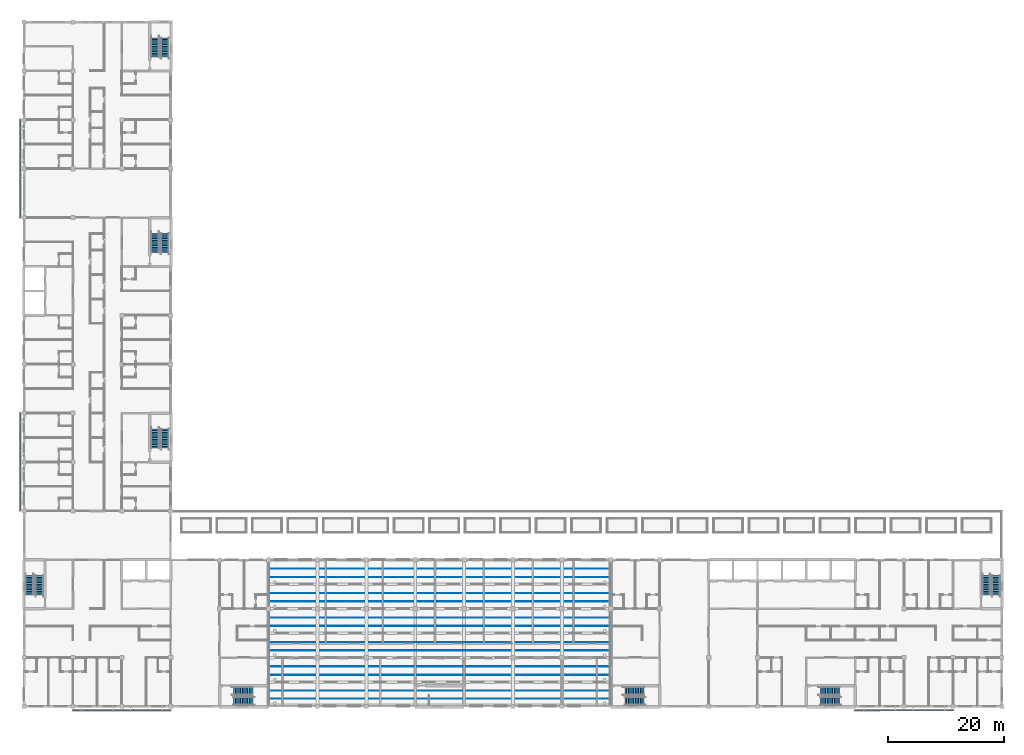
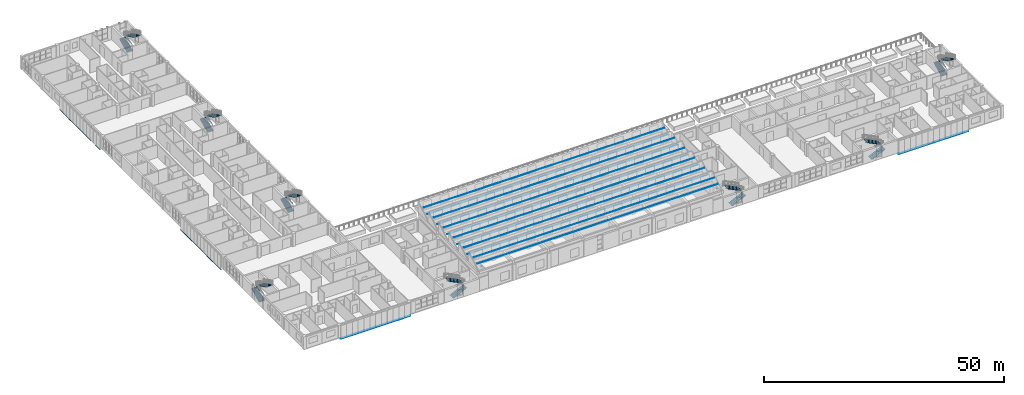
# One storey, part 48 of 61: 20 discrete accessories, 16 stair flights, 8 elements without a shape of their own.
"""IFC4 building model written with IfcOpenShell, lengths in metres."""

from ifc_helpers import new_model, si_unit, direction, frame, origin, origin_2d, place, context, subcontext, project, spatial, polyline, hollow_rectangle, outline, extrude, material, material_profile, profile_set, type_object, element, aggregate, save


model = new_model("IFC4")

# Units and contexts
model_context = context("Model", 3, precision=1e-05, world=origin(), true_north=direction((0.0, 1.0)))
body_context = subcontext(model_context, "Body", "Model", "MODEL_VIEW")
ifc_project = project(units=[si_unit("LENGTHUNIT", "METRE"), si_unit("AREAUNIT", "SQUARE_METRE"), si_unit("VOLUMEUNIT", "CUBIC_METRE"), si_unit("PLANEANGLEUNIT", "RADIAN"), si_unit("MASSUNIT", "GRAM", prefix="KILO")], contexts=[model_context])

# Site, building, storey
site_placement = place(None, origin())
site = spatial("IfcSite", under=ifc_project, at=site_placement, CompositionType="ELEMENT")
building_placement = place(site_placement, origin())
building = spatial("IfcBuilding", under=site, at=building_placement, Name="Yavir Park General Hospital", CompositionType="ELEMENT")
storey_placement = place(building_placement, frame((0.0, 0.0, 15.300048828125)))
storey = spatial("IfcBuildingStorey", under=building, at=storey_placement, Name="L03", CompositionType="ELEMENT", Elevation=15.300048828125)

# Stair, stair flights
ifc_material_1 = material(Name="Concrete C30/37", Category="concrete")
stair_type = type_object("IfcStairType", Name="Patient escape stair, 24 risers of 150 mm, 1400 mm flights", PredefinedType="HALF_TURN_STAIR", material=ifc_material_1)
stair_1_placement = place(storey_placement, origin())
stair_1 = element("IfcStair", 1, at=stair_1_placement, inside=storey, type_object=stair_type, Name="Stair SU1, L03 to L04", PredefinedType="HALF_TURN_STAIR")
ifc_material_2 = material(Name="Concrete C30/37", Category="concrete")
stair_flight_type = type_object("IfcStairFlightType", Name="Patient escape stair flight, 12 risers, 1400 mm wide", PredefinedType="STRAIGHT", material=ifc_material_2)
stair_flight_1_placement = place(storey_placement, frame((0.949951171875, 19.199951171875, 0.0), z_axis=(0.0, 0.0, 1.0), x_axis=(0.0, 1.0, 0.0)))
stair_flight_1 = element("IfcStairFlight", 2, at=stair_flight_1_placement, type_object=stair_flight_type, Name="SU1 flight 1", NumberOfRisers=12, NumberOfTreads=11, PredefinedType="STRAIGHT", RiserHeight=0.15, TreadLength=0.3, context=body_context, shape_type="SweptSolid", body=[
    extrude(outline(polyline([(0.0, 0.0), (0.0, 0.14990234375), (0.300048828125, 0.14990234375), (0.300048828125, 0.300048828125), (0.60009765625, 0.300048828125), (0.60009765625, 0.449951171875), (0.89990234375, 0.449951171875), (0.89990234375, 0.60009765625), (1.199951171875, 0.60009765625), (1.199951171875, 0.75), (1.5, 0.75), (1.5, 0.89990234375), (1.800048828125, 0.89990234375), (1.800048828125, 1.050048828125), (2.10009765625, 1.050048828125), (2.10009765625, 1.199951171875), (2.39990234375, 1.199951171875), (2.39990234375, 1.35009765625), (2.699951171875, 1.35009765625), (2.699951171875, 1.5), (3.0, 1.5), (3.0, 1.64990234375), (3.300048828125, 1.64990234375), (3.300048828125, 1.800048828125), (3.300048828125, 1.47119140625), (0.357666015625, 0.0), (0.0, 0.0)])), frame((0.0, 0.699951171875, 0.0), z_axis=(0.0, -1.0, 0.0), x_axis=(1.0, 0.0, 0.0)), (0.0, 0.0, 1.0), 1.39990234375),
])
stair_flight_2_placement = place(storey_placement, frame((2.64990234375, 22.5, 1.800048828125), z_axis=(0.0, 0.0, 1.0), x_axis=(0.0, -1.0, 0.0)))
stair_flight_2 = element("IfcStairFlight", 3, at=stair_flight_2_placement, type_object=stair_flight_type, Name="SU1 flight 2", NumberOfRisers=12, NumberOfTreads=11, PredefinedType="STRAIGHT", RiserHeight=0.15, TreadLength=0.3, context=body_context, shape_type="SweptSolid", body=[
    extrude(outline(polyline([(0.0, 0.0), (0.0, 0.14990234375), (0.300048828125, 0.14990234375), (0.300048828125, 0.300048828125), (0.60009765625, 0.300048828125), (0.60009765625, 0.449951171875), (0.89990234375, 0.449951171875), (0.89990234375, 0.60009765625), (1.199951171875, 0.60009765625), (1.199951171875, 0.75), (1.5, 0.75), (1.5, 0.89990234375), (1.800048828125, 0.89990234375), (1.800048828125, 1.050048828125), (2.10009765625, 1.050048828125), (2.10009765625, 1.199951171875), (2.39990234375, 1.199951171875), (2.39990234375, 1.35009765625), (2.699951171875, 1.35009765625), (2.699951171875, 1.5), (3.0, 1.5), (3.0, 1.64990234375), (3.300048828125, 1.64990234375), (3.300048828125, 1.800048828125), (3.300048828125, 1.47119140625), (0.357666015625, 0.0), (0.0, 0.0)])), frame((0.0, 0.699951171875, 0.0), z_axis=(0.0, -1.0, 0.0), x_axis=(1.0, 0.0, 0.0)), (0.0, 0.0, 1.0), 1.39990234375),
])
aggregate(stair_1, [stair_flight_1, stair_flight_2])

stair_2_placement = place(storey_placement, origin())
stair_2 = element("IfcStair", 4, at=stair_2_placement, inside=storey, type_object=stair_type, Name="Stair SU2, L03 to L04", PredefinedType="HALF_TURN_STAIR")
stair_flight_3_placement = place(storey_placement, frame((36.0, 0.949951171875, 0.0), z_axis=(0.0, 0.0, 1.0), x_axis=(1.0, 0.0, 0.0)))
stair_flight_3 = element("IfcStairFlight", 5, at=stair_flight_3_placement, type_object=stair_flight_type, Name="SU2 flight 1", NumberOfRisers=12, NumberOfTreads=11, PredefinedType="STRAIGHT", RiserHeight=0.15, TreadLength=0.3, context=body_context, shape_type="SweptSolid", body=[
    extrude(outline(polyline([(0.0, 0.0), (0.0, 0.14990234375), (0.300048828125, 0.14990234375), (0.300048828125, 0.300048828125), (0.60009765625, 0.300048828125), (0.60009765625, 0.449951171875), (0.89990234375, 0.449951171875), (0.89990234375, 0.60009765625), (1.199951171875, 0.60009765625), (1.199951171875, 0.75), (1.5, 0.75), (1.5, 0.89990234375), (1.800048828125, 0.89990234375), (1.800048828125, 1.050048828125), (2.10009765625, 1.050048828125), (2.10009765625, 1.199951171875), (2.39990234375, 1.199951171875), (2.39990234375, 1.35009765625), (2.699951171875, 1.35009765625), (2.699951171875, 1.5), (3.0, 1.5), (3.0, 1.64990234375), (3.300048828125, 1.64990234375), (3.300048828125, 1.800048828125), (3.300048828125, 1.47119140625), (0.357666015625, 0.0), (0.0, 0.0)])), frame((0.0, 0.699951171875, 0.0), z_axis=(0.0, -1.0, 0.0), x_axis=(1.0, 0.0, 0.0)), (0.0, 0.0, 1.0), 1.39990234375),
])
stair_flight_4_placement = place(storey_placement, frame((39.300048828125, 2.64990234375, 1.800048828125), z_axis=(0.0, 0.0, 1.0), x_axis=(-1.0, 0.0, 0.0)))
stair_flight_4 = element("IfcStairFlight", 6, at=stair_flight_4_placement, type_object=stair_flight_type, Name="SU2 flight 2", NumberOfRisers=12, NumberOfTreads=11, PredefinedType="STRAIGHT", RiserHeight=0.15, TreadLength=0.3, context=body_context, shape_type="SweptSolid", body=[
    extrude(outline(polyline([(0.0, 0.0), (0.0, 0.14990234375), (0.300048828125, 0.14990234375), (0.300048828125, 0.300048828125), (0.60009765625, 0.300048828125), (0.60009765625, 0.449951171875), (0.89990234375, 0.449951171875), (0.89990234375, 0.60009765625), (1.199951171875, 0.60009765625), (1.199951171875, 0.75), (1.5, 0.75), (1.5, 0.89990234375), (1.800048828125, 0.89990234375), (1.800048828125, 1.050048828125), (2.10009765625, 1.050048828125), (2.10009765625, 1.199951171875), (2.39990234375, 1.199951171875), (2.39990234375, 1.35009765625), (2.699951171875, 1.35009765625), (2.699951171875, 1.5), (3.0, 1.5), (3.0, 1.64990234375), (3.300048828125, 1.64990234375), (3.300048828125, 1.800048828125), (3.300048828125, 1.47119140625), (0.357666015625, 0.0), (0.0, 0.0)])), frame((0.0, 0.699951171875, 0.0), z_axis=(0.0, -1.0, 0.0), x_axis=(1.0, 0.0, 0.0)), (0.0, 0.0, 1.0), 1.39990234375),
])
aggregate(stair_2, [stair_flight_3, stair_flight_4])

stair_3_placement = place(storey_placement, origin())
stair_3 = element("IfcStair", 7, at=stair_3_placement, inside=storey, type_object=stair_type, Name="Stair SU4, L03 to L04", PredefinedType="HALF_TURN_STAIR")
stair_flight_5_placement = place(storey_placement, frame((103.199951171875, 0.949951171875, 0.0), z_axis=(0.0, 0.0, 1.0), x_axis=(1.0, 0.0, 0.0)))
stair_flight_5 = element("IfcStairFlight", 8, at=stair_flight_5_placement, type_object=stair_flight_type, Name="SU4 flight 1", NumberOfRisers=12, NumberOfTreads=11, PredefinedType="STRAIGHT", RiserHeight=0.15, TreadLength=0.3, context=body_context, shape_type="SweptSolid", body=[
    extrude(outline(polyline([(0.0, 0.0), (0.0, 0.14990234375), (0.300048828125, 0.14990234375), (0.300048828125, 0.300048828125), (0.60009765625, 0.300048828125), (0.60009765625, 0.449951171875), (0.89990234375, 0.449951171875), (0.89990234375, 0.60009765625), (1.199951171875, 0.60009765625), (1.199951171875, 0.75), (1.5, 0.75), (1.5, 0.89990234375), (1.800048828125, 0.89990234375), (1.800048828125, 1.050048828125), (2.10009765625, 1.050048828125), (2.10009765625, 1.199951171875), (2.39990234375, 1.199951171875), (2.39990234375, 1.35009765625), (2.699951171875, 1.35009765625), (2.699951171875, 1.5), (3.0, 1.5), (3.0, 1.64990234375), (3.300048828125, 1.64990234375), (3.300048828125, 1.800048828125), (3.300048828125, 1.47119140625), (0.357666015625, 0.0), (0.0, 0.0)])), frame((0.0, 0.699951171875, 0.0), z_axis=(0.0, -1.0, 0.0), x_axis=(1.0, 0.0, 0.0)), (0.0, 0.0, 1.0), 1.39990234375),
])
stair_flight_6_placement = place(storey_placement, frame((106.5, 2.64990234375, 1.800048828125), z_axis=(0.0, 0.0, 1.0), x_axis=(-1.0, 0.0, 0.0)))
stair_flight_6 = element("IfcStairFlight", 9, at=stair_flight_6_placement, type_object=stair_flight_type, Name="SU4 flight 2", NumberOfRisers=12, NumberOfTreads=11, PredefinedType="STRAIGHT", RiserHeight=0.15, TreadLength=0.3, context=body_context, shape_type="SweptSolid", body=[
    extrude(outline(polyline([(0.0, 0.0), (0.0, 0.14990234375), (0.300048828125, 0.14990234375), (0.300048828125, 0.300048828125), (0.60009765625, 0.300048828125), (0.60009765625, 0.449951171875), (0.89990234375, 0.449951171875), (0.89990234375, 0.60009765625), (1.199951171875, 0.60009765625), (1.199951171875, 0.75), (1.5, 0.75), (1.5, 0.89990234375), (1.800048828125, 0.89990234375), (1.800048828125, 1.050048828125), (2.10009765625, 1.050048828125), (2.10009765625, 1.199951171875), (2.39990234375, 1.199951171875), (2.39990234375, 1.35009765625), (2.699951171875, 1.35009765625), (2.699951171875, 1.5), (3.0, 1.5), (3.0, 1.64990234375), (3.300048828125, 1.64990234375), (3.300048828125, 1.800048828125), (3.300048828125, 1.47119140625), (0.357666015625, 0.0), (0.0, 0.0)])), frame((0.0, 0.699951171875, 0.0), z_axis=(0.0, -1.0, 0.0), x_axis=(1.0, 0.0, 0.0)), (0.0, 0.0, 1.0), 1.39990234375),
])
aggregate(stair_3, [stair_flight_5, stair_flight_6])

stair_4_placement = place(storey_placement, origin())
stair_4 = element("IfcStair", 10, at=stair_4_placement, inside=storey, type_object=stair_type, Name="Stair SU5, L03 to L04", PredefinedType="HALF_TURN_STAIR")
stair_flight_7_placement = place(storey_placement, frame((136.800048828125, 0.949951171875, 0.0), z_axis=(0.0, 0.0, 1.0), x_axis=(1.0, 0.0, 0.0)))
stair_flight_7 = element("IfcStairFlight", 11, at=stair_flight_7_placement, type_object=stair_flight_type, Name="SU5 flight 1", NumberOfRisers=12, NumberOfTreads=11, PredefinedType="STRAIGHT", RiserHeight=0.15, TreadLength=0.3, context=body_context, shape_type="SweptSolid", body=[
    extrude(outline(polyline([(0.0, 0.0), (0.0, 0.14990234375), (0.300048828125, 0.14990234375), (0.300048828125, 0.300048828125), (0.60009765625, 0.300048828125), (0.60009765625, 0.449951171875), (0.89990234375, 0.449951171875), (0.89990234375, 0.60009765625), (1.199951171875, 0.60009765625), (1.199951171875, 0.75), (1.5, 0.75), (1.5, 0.89990234375), (1.800048828125, 0.89990234375), (1.800048828125, 1.050048828125), (2.10009765625, 1.050048828125), (2.10009765625, 1.199951171875), (2.39990234375, 1.199951171875), (2.39990234375, 1.35009765625), (2.699951171875, 1.35009765625), (2.699951171875, 1.5), (3.0, 1.5), (3.0, 1.64990234375), (3.300048828125, 1.64990234375), (3.300048828125, 1.800048828125), (3.300048828125, 1.47119140625), (0.357666015625, 0.0), (0.0, 0.0)])), frame((0.0, 0.699951171875, 0.0), z_axis=(0.0, -1.0, 0.0), x_axis=(1.0, 0.0, 0.0)), (0.0, 0.0, 1.0), 1.39990234375),
])
stair_flight_8_placement = place(storey_placement, frame((140.10009765625, 2.64990234375, 1.800048828125), z_axis=(0.0, 0.0, 1.0), x_axis=(-1.0, 0.0, 0.0)))
stair_flight_8 = element("IfcStairFlight", 12, at=stair_flight_8_placement, type_object=stair_flight_type, Name="SU5 flight 2", NumberOfRisers=12, NumberOfTreads=11, PredefinedType="STRAIGHT", RiserHeight=0.15, TreadLength=0.3, context=body_context, shape_type="SweptSolid", body=[
    extrude(outline(polyline([(0.0, 0.0), (0.0, 0.14990234375), (0.300048828125, 0.14990234375), (0.300048828125, 0.300048828125), (0.60009765625, 0.300048828125), (0.60009765625, 0.449951171875), (0.89990234375, 0.449951171875), (0.89990234375, 0.60009765625), (1.199951171875, 0.60009765625), (1.199951171875, 0.75), (1.5, 0.75), (1.5, 0.89990234375), (1.800048828125, 0.89990234375), (1.800048828125, 1.050048828125), (2.10009765625, 1.050048828125), (2.10009765625, 1.199951171875), (2.39990234375, 1.199951171875), (2.39990234375, 1.35009765625), (2.699951171875, 1.35009765625), (2.699951171875, 1.5), (3.0, 1.5), (3.0, 1.64990234375), (3.300048828125, 1.64990234375), (3.300048828125, 1.800048828125), (3.300048828125, 1.47119140625), (0.357666015625, 0.0), (0.0, 0.0)])), frame((0.0, 0.699951171875, 0.0), z_axis=(0.0, -1.0, 0.0), x_axis=(1.0, 0.0, 0.0)), (0.0, 0.0, 1.0), 1.39990234375),
])
aggregate(stair_4, [stair_flight_7, stair_flight_8])

stair_5_placement = place(storey_placement, origin())
stair_5 = element("IfcStair", 13, at=stair_5_placement, inside=storey, type_object=stair_type, Name="Stair SU6, L03 to L04", PredefinedType="HALF_TURN_STAIR")
stair_flight_9_placement = place(storey_placement, frame((165.300048828125, 19.199951171875, 0.0), z_axis=(0.0, 0.0, 1.0), x_axis=(0.0, 1.0, 0.0)))
stair_flight_9 = element("IfcStairFlight", 14, at=stair_flight_9_placement, type_object=stair_flight_type, Name="SU6 flight 1", NumberOfRisers=12, NumberOfTreads=11, PredefinedType="STRAIGHT", RiserHeight=0.15, TreadLength=0.3, context=body_context, shape_type="SweptSolid", body=[
    extrude(outline(polyline([(0.0, 0.0), (0.0, 0.14990234375), (0.300048828125, 0.14990234375), (0.300048828125, 0.300048828125), (0.60009765625, 0.300048828125), (0.60009765625, 0.449951171875), (0.89990234375, 0.449951171875), (0.89990234375, 0.60009765625), (1.199951171875, 0.60009765625), (1.199951171875, 0.75), (1.5, 0.75), (1.5, 0.89990234375), (1.800048828125, 0.89990234375), (1.800048828125, 1.050048828125), (2.10009765625, 1.050048828125), (2.10009765625, 1.199951171875), (2.39990234375, 1.199951171875), (2.39990234375, 1.35009765625), (2.699951171875, 1.35009765625), (2.699951171875, 1.5), (3.0, 1.5), (3.0, 1.64990234375), (3.300048828125, 1.64990234375), (3.300048828125, 1.800048828125), (3.300048828125, 1.47119140625), (0.357666015625, 0.0), (0.0, 0.0)])), frame((0.0, 0.699951171875, 0.0), z_axis=(0.0, -1.0, 0.0), x_axis=(1.0, 0.0, 0.0)), (0.0, 0.0, 1.0), 1.39990234375),
])
stair_flight_10_placement = place(storey_placement, frame((167.0, 22.5, 1.800048828125), z_axis=(0.0, 0.0, 1.0), x_axis=(0.0, -1.0, 0.0)))
stair_flight_10 = element("IfcStairFlight", 15, at=stair_flight_10_placement, type_object=stair_flight_type, Name="SU6 flight 2", NumberOfRisers=12, NumberOfTreads=11, PredefinedType="STRAIGHT", RiserHeight=0.15, TreadLength=0.3, context=body_context, shape_type="SweptSolid", body=[
    extrude(outline(polyline([(0.0, 0.0), (0.0, 0.14990234375), (0.300048828125, 0.14990234375), (0.300048828125, 0.300048828125), (0.60009765625, 0.300048828125), (0.60009765625, 0.449951171875), (0.89990234375, 0.449951171875), (0.89990234375, 0.60009765625), (1.199951171875, 0.60009765625), (1.199951171875, 0.75), (1.5, 0.75), (1.5, 0.89990234375), (1.800048828125, 0.89990234375), (1.800048828125, 1.050048828125), (2.10009765625, 1.050048828125), (2.10009765625, 1.199951171875), (2.39990234375, 1.199951171875), (2.39990234375, 1.35009765625), (2.699951171875, 1.35009765625), (2.699951171875, 1.5), (3.0, 1.5), (3.0, 1.64990234375), (3.300048828125, 1.64990234375), (3.300048828125, 1.800048828125), (3.300048828125, 1.47119140625), (0.357666015625, 0.0), (0.0, 0.0)])), frame((0.0, 0.699951171875, 0.0), z_axis=(0.0, -1.0, 0.0), x_axis=(1.0, 0.0, 0.0)), (0.0, 0.0, 1.0), 1.39990234375),
])
aggregate(stair_5, [stair_flight_9, stair_flight_10])

stair_6_placement = place(storey_placement, origin())
stair_6 = element("IfcStair", 16, at=stair_6_placement, inside=storey, type_object=stair_type, Name="Stair SW1, L03 to L04", PredefinedType="HALF_TURN_STAIR")
stair_flight_11_placement = place(storey_placement, frame((22.5, 44.39990234375, 0.0), z_axis=(0.0, 0.0, 1.0), x_axis=(0.0, 1.0, 0.0)))
stair_flight_11 = element("IfcStairFlight", 17, at=stair_flight_11_placement, type_object=stair_flight_type, Name="SW1 flight 1", NumberOfRisers=12, NumberOfTreads=11, PredefinedType="STRAIGHT", RiserHeight=0.15, TreadLength=0.3, context=body_context, shape_type="SweptSolid", body=[
    extrude(outline(polyline([(0.0, 0.0), (0.0, 0.14990234375), (0.300048828125, 0.14990234375), (0.300048828125, 0.300048828125), (0.60009765625, 0.300048828125), (0.60009765625, 0.449951171875), (0.89990234375, 0.449951171875), (0.89990234375, 0.60009765625), (1.199951171875, 0.60009765625), (1.199951171875, 0.75), (1.5, 0.75), (1.5, 0.89990234375), (1.800048828125, 0.89990234375), (1.800048828125, 1.050048828125), (2.10009765625, 1.050048828125), (2.10009765625, 1.199951171875), (2.39990234375, 1.199951171875), (2.39990234375, 1.35009765625), (2.699951171875, 1.35009765625), (2.699951171875, 1.5), (3.0, 1.5), (3.0, 1.64990234375), (3.300048828125, 1.64990234375), (3.300048828125, 1.800048828125), (3.300048828125, 1.47119140625), (0.357666015625, 0.0), (0.0, 0.0)])), frame((0.0, 0.699951171875, 0.0), z_axis=(0.0, -1.0, 0.0), x_axis=(1.0, 0.0, 0.0)), (0.0, 0.0, 1.0), 1.39990234375),
])
stair_flight_12_placement = place(storey_placement, frame((24.199951171875, 47.699951171875, 1.800048828125), z_axis=(0.0, 0.0, 1.0), x_axis=(0.0, -1.0, 0.0)))
stair_flight_12 = element("IfcStairFlight", 18, at=stair_flight_12_placement, type_object=stair_flight_type, Name="SW1 flight 2", NumberOfRisers=12, NumberOfTreads=11, PredefinedType="STRAIGHT", RiserHeight=0.15, TreadLength=0.3, context=body_context, shape_type="SweptSolid", body=[
    extrude(outline(polyline([(0.0, 0.0), (0.0, 0.14990234375), (0.300048828125, 0.14990234375), (0.300048828125, 0.300048828125), (0.60009765625, 0.300048828125), (0.60009765625, 0.449951171875), (0.89990234375, 0.449951171875), (0.89990234375, 0.60009765625), (1.199951171875, 0.60009765625), (1.199951171875, 0.75), (1.5, 0.75), (1.5, 0.89990234375), (1.800048828125, 0.89990234375), (1.800048828125, 1.050048828125), (2.10009765625, 1.050048828125), (2.10009765625, 1.199951171875), (2.39990234375, 1.199951171875), (2.39990234375, 1.35009765625), (2.699951171875, 1.35009765625), (2.699951171875, 1.5), (3.0, 1.5), (3.0, 1.64990234375), (3.300048828125, 1.64990234375), (3.300048828125, 1.800048828125), (3.300048828125, 1.47119140625), (0.357666015625, 0.0), (0.0, 0.0)])), frame((0.0, 0.699951171875, 0.0), z_axis=(0.0, -1.0, 0.0), x_axis=(1.0, 0.0, 0.0)), (0.0, 0.0, 1.0), 1.39990234375),
])
aggregate(stair_6, [stair_flight_11, stair_flight_12])

stair_7_placement = place(storey_placement, origin())
stair_7 = element("IfcStair", 19, at=stair_7_placement, inside=storey, type_object=stair_type, Name="Stair SW2, L03 to L04", PredefinedType="HALF_TURN_STAIR")
stair_flight_13_placement = place(storey_placement, frame((22.5, 78.0, 0.0), z_axis=(0.0, 0.0, 1.0), x_axis=(0.0, 1.0, 0.0)))
stair_flight_13 = element("IfcStairFlight", 20, at=stair_flight_13_placement, type_object=stair_flight_type, Name="SW2 flight 1", NumberOfRisers=12, NumberOfTreads=11, PredefinedType="STRAIGHT", RiserHeight=0.15, TreadLength=0.3, context=body_context, shape_type="SweptSolid", body=[
    extrude(outline(polyline([(0.0, 0.0), (0.0, 0.14990234375), (0.300048828125, 0.14990234375), (0.300048828125, 0.300048828125), (0.60009765625, 0.300048828125), (0.60009765625, 0.449951171875), (0.89990234375, 0.449951171875), (0.89990234375, 0.60009765625), (1.199951171875, 0.60009765625), (1.199951171875, 0.75), (1.5, 0.75), (1.5, 0.89990234375), (1.800048828125, 0.89990234375), (1.800048828125, 1.050048828125), (2.10009765625, 1.050048828125), (2.10009765625, 1.199951171875), (2.39990234375, 1.199951171875), (2.39990234375, 1.35009765625), (2.699951171875, 1.35009765625), (2.699951171875, 1.5), (3.0, 1.5), (3.0, 1.64990234375), (3.300048828125, 1.64990234375), (3.300048828125, 1.800048828125), (3.300048828125, 1.47119140625), (0.357666015625, 0.0), (0.0, 0.0)])), frame((0.0, 0.699951171875, 0.0), z_axis=(0.0, -1.0, 0.0), x_axis=(1.0, 0.0, 0.0)), (0.0, 0.0, 1.0), 1.39990234375),
])
stair_flight_14_placement = place(storey_placement, frame((24.199951171875, 81.300048828125, 1.800048828125), z_axis=(0.0, 0.0, 1.0), x_axis=(0.0, -1.0, 0.0)))
stair_flight_14 = element("IfcStairFlight", 21, at=stair_flight_14_placement, type_object=stair_flight_type, Name="SW2 flight 2", NumberOfRisers=12, NumberOfTreads=11, PredefinedType="STRAIGHT", RiserHeight=0.15, TreadLength=0.3, context=body_context, shape_type="SweptSolid", body=[
    extrude(outline(polyline([(0.0, 0.0), (0.0, 0.14990234375), (0.300048828125, 0.14990234375), (0.300048828125, 0.300048828125), (0.60009765625, 0.300048828125), (0.60009765625, 0.449951171875), (0.89990234375, 0.449951171875), (0.89990234375, 0.60009765625), (1.199951171875, 0.60009765625), (1.199951171875, 0.75), (1.5, 0.75), (1.5, 0.89990234375), (1.800048828125, 0.89990234375), (1.800048828125, 1.050048828125), (2.10009765625, 1.050048828125), (2.10009765625, 1.199951171875), (2.39990234375, 1.199951171875), (2.39990234375, 1.35009765625), (2.699951171875, 1.35009765625), (2.699951171875, 1.5), (3.0, 1.5), (3.0, 1.64990234375), (3.300048828125, 1.64990234375), (3.300048828125, 1.800048828125), (3.300048828125, 1.47119140625), (0.357666015625, 0.0), (0.0, 0.0)])), frame((0.0, 0.699951171875, 0.0), z_axis=(0.0, -1.0, 0.0), x_axis=(1.0, 0.0, 0.0)), (0.0, 0.0, 1.0), 1.39990234375),
])
aggregate(stair_7, [stair_flight_13, stair_flight_14])

stair_8_placement = place(storey_placement, origin())
stair_8 = element("IfcStair", 22, at=stair_8_placement, inside=storey, type_object=stair_type, Name="Stair SW3, L03 to L04", PredefinedType="HALF_TURN_STAIR")
stair_flight_15_placement = place(storey_placement, frame((22.5, 111.60009765625, 0.0), z_axis=(0.0, 0.0, 1.0), x_axis=(0.0, 1.0, 0.0)))
stair_flight_15 = element("IfcStairFlight", 23, at=stair_flight_15_placement, type_object=stair_flight_type, Name="SW3 flight 1", NumberOfRisers=12, NumberOfTreads=11, PredefinedType="STRAIGHT", RiserHeight=0.15, TreadLength=0.3, context=body_context, shape_type="SweptSolid", body=[
    extrude(outline(polyline([(0.0, 0.0), (0.0, 0.14990234375), (0.300048828125, 0.14990234375), (0.300048828125, 0.300048828125), (0.60009765625, 0.300048828125), (0.60009765625, 0.449951171875), (0.89990234375, 0.449951171875), (0.89990234375, 0.60009765625), (1.199951171875, 0.60009765625), (1.199951171875, 0.75), (1.5, 0.75), (1.5, 0.89990234375), (1.800048828125, 0.89990234375), (1.800048828125, 1.050048828125), (2.10009765625, 1.050048828125), (2.10009765625, 1.199951171875), (2.39990234375, 1.199951171875), (2.39990234375, 1.35009765625), (2.699951171875, 1.35009765625), (2.699951171875, 1.5), (3.0, 1.5), (3.0, 1.64990234375), (3.300048828125, 1.64990234375), (3.300048828125, 1.800048828125), (3.300048828125, 1.47119140625), (0.357666015625, 0.0), (0.0, 0.0)])), frame((0.0, 0.699951171875, 0.0), z_axis=(0.0, -1.0, 0.0), x_axis=(1.0, 0.0, 0.0)), (0.0, 0.0, 1.0), 1.39990234375),
])
stair_flight_16_placement = place(storey_placement, frame((24.199951171875, 114.89990234375, 1.800048828125), z_axis=(0.0, 0.0, 1.0), x_axis=(0.0, -1.0, 0.0)))
stair_flight_16 = element("IfcStairFlight", 24, at=stair_flight_16_placement, type_object=stair_flight_type, Name="SW3 flight 2", NumberOfRisers=12, NumberOfTreads=11, PredefinedType="STRAIGHT", RiserHeight=0.15, TreadLength=0.3, context=body_context, shape_type="SweptSolid", body=[
    extrude(outline(polyline([(0.0, 0.0), (0.0, 0.14990234375), (0.300048828125, 0.14990234375), (0.300048828125, 0.300048828125), (0.60009765625, 0.300048828125), (0.60009765625, 0.449951171875), (0.89990234375, 0.449951171875), (0.89990234375, 0.60009765625), (1.199951171875, 0.60009765625), (1.199951171875, 0.75), (1.5, 0.75), (1.5, 0.89990234375), (1.800048828125, 0.89990234375), (1.800048828125, 1.050048828125), (2.10009765625, 1.050048828125), (2.10009765625, 1.199951171875), (2.39990234375, 1.199951171875), (2.39990234375, 1.35009765625), (2.699951171875, 1.35009765625), (2.699951171875, 1.5), (3.0, 1.5), (3.0, 1.64990234375), (3.300048828125, 1.64990234375), (3.300048828125, 1.800048828125), (3.300048828125, 1.47119140625), (0.357666015625, 0.0), (0.0, 0.0)])), frame((0.0, 0.699951171875, 0.0), z_axis=(0.0, -1.0, 0.0), x_axis=(1.0, 0.0, 0.0)), (0.0, 0.0, 1.0), 1.39990234375),
])
aggregate(stair_8, [stair_flight_15, stair_flight_16])

# Discrete accessories
ifc_material_3 = material(Name="Steel S355", Category="steel")
ifc_material_profile_1 = material_profile(ifc_material_3, hollow_rectangle(XDim=0.10009765625, YDim=0.06005859375, WallThickness=0.00390625, InnerFilletRadius=0.00390625, OuterFilletRadius=0.008056640625, at=origin_2d()), Name="RHS60x100x4")
ifc_profile_set_1 = profile_set([ifc_material_profile_1], Name="Steel S355")
discrete_accessory_type_1 = type_object("IfcDiscreteAccessoryType", Name="Screen rail RHS 100 x 60", PredefinedType="BRACKET", material=ifc_profile_set_1)
discrete_accessory_1_placement = place(storey_placement, frame((8.409912109375, -0.64990234375, -0.030029296875), z_axis=(1.0, 0.0, 0.0), x_axis=(0.0, 1.0, 0.0)))
element("IfcDiscreteAccessory", 25, at=discrete_accessory_1_placement, inside=storey, type_object=discrete_accessory_type_1, Name="Screen rail S2.1", PredefinedType="BRACKET", context=body_context, shape_type="SweptSolid", body=[
    extrude(hollow_rectangle(XDim=0.10009765625, YDim=0.06005859375, WallThickness=0.00390625, InnerFilletRadius=0.00390625, OuterFilletRadius=0.008056640625, at=origin_2d()), origin(), (0.0, 0.0, 1.0), 8.380126953125),
])
for number, where, z_axis, x_axis, name in (
    (26, (16.81005859375, -0.64990234375, -0.030029296875), (1.0, 0.0, 0.0), (0.0, 1.0, 0.0), "Screen rail S3.1"),
    (27, (142.81005859375, -0.64990234375, -0.030029296875), (1.0, 0.0, 0.0), (0.0, 1.0, 0.0), "Screen rail S18.1"),
):
    element("IfcDiscreteAccessory", number, at=place(storey_placement, frame(where, z_axis=z_axis, x_axis=x_axis)), inside=storey, type_object=discrete_accessory_type_1, Name=name, PredefinedType="BRACKET", context=body_context, shape_type="SweptSolid", body=[
        extrude(hollow_rectangle(XDim=0.10009765625, YDim=0.06005859375, WallThickness=0.00390625, InnerFilletRadius=0.00390625, OuterFilletRadius=0.008056640625, at=origin_2d()), origin(), (0.0, 0.0, 1.0), 8.3798828125),
    ])
discrete_accessory_2_placement = place(storey_placement, frame((151.2099609375, -0.64990234375, -0.030029296875), z_axis=(1.0, 0.0, 0.0), x_axis=(0.0, 1.0, 0.0)))
element("IfcDiscreteAccessory", 28, at=discrete_accessory_2_placement, inside=storey, type_object=discrete_accessory_type_1, Name="Screen rail S19.1", PredefinedType="BRACKET", context=body_context, shape_type="SweptSolid", body=[
    extrude(hollow_rectangle(XDim=0.10009765625, YDim=0.06005859375, WallThickness=0.00390625, InnerFilletRadius=0.00390625, OuterFilletRadius=0.008056640625, at=origin_2d()), origin(), (0.0, 0.0, 1.0), 8.380126953125),
])
for number, where, z_axis, x_axis, name in (
    (29, (-0.64990234375, 33.610107421875, -0.030029296875), (0.0, 1.0, 0.0), (-1.0, 0.0, 0.0), "Screen rail W5.1"),
    (30, (-0.64990234375, 42.010009765625, -0.030029296875), (0.0, 1.0, 0.0), (-1.0, 0.0, 0.0), "Screen rail W6.1"),
    (31, (-0.64990234375, 84.010009765625, -0.030029296875), (0.0, 1.0, 0.0), (-1.0, 0.0, 0.0), "Screen rail W11.1"),
):
    element("IfcDiscreteAccessory", number, at=place(storey_placement, frame(where, z_axis=z_axis, x_axis=x_axis)), inside=storey, type_object=discrete_accessory_type_1, Name=name, PredefinedType="BRACKET", context=body_context, shape_type="SweptSolid", body=[
        extrude(hollow_rectangle(XDim=0.10009765625, YDim=0.06005859375, WallThickness=0.00390625, InnerFilletRadius=0.00390625, OuterFilletRadius=0.008056640625, at=origin_2d()), origin(), (0.0, 0.0, 1.0), 8.3798828125),
    ])
discrete_accessory_3_placement = place(storey_placement, frame((-0.64990234375, 92.409912109375, -0.030029296875), z_axis=(0.0, 1.0, 0.0), x_axis=(-1.0, 0.0, 0.0)))
element("IfcDiscreteAccessory", 32, at=discrete_accessory_3_placement, inside=storey, type_object=discrete_accessory_type_1, Name="Screen rail W12.1", PredefinedType="BRACKET", context=body_context, shape_type="SweptSolid", body=[
    extrude(hollow_rectangle(XDim=0.10009765625, YDim=0.06005859375, WallThickness=0.00390625, InnerFilletRadius=0.00390625, OuterFilletRadius=0.008056640625, at=origin_2d()), origin(), (0.0, 0.0, 1.0), 8.380126953125),
])
ifc_material_4 = material(Name="Steel S355", Category="steel")
ifc_material_profile_2 = material_profile(ifc_material_4, hollow_rectangle(XDim=0.050048828125, YDim=0.050048828125, WallThickness=0.0029296875, InnerFilletRadius=0.0029296875, OuterFilletRadius=0.006103515625, at=origin_2d()), Name="RHS50x50x3")
ifc_profile_set_2 = profile_set([ifc_material_profile_2], Name="Steel S355")
discrete_accessory_type_2 = type_object("IfcDiscreteAccessoryType", Name="Snow guard bar SHS 50", PredefinedType="BRACKET", material=ifc_profile_set_2)
for number, where, z_axis, x_axis, name in (
    (33, (42.449951171875, 1.3349609375, 5.9423828125), (1.0, 0.0, 0.0), (0.0, 1.0, 0.0), "Snow guard bar SAW-T01.1"),
    (34, (42.449951171875, 2.717529296875, 6.732421875), (1.0, 0.0, 0.0), (0.0, 1.0, 0.0), "Snow guard bar SAW-T01.2"),
    (35, (42.449951171875, 5.429931640625, 5.882568359375), (1.0, 0.0, 0.0), (0.0, 1.0, 0.0), "Snow guard bar SAW-T02.1"),
    (36, (42.449951171875, 6.864990234375, 6.702392578125), (1.0, 0.0, 0.0), (0.0, 1.0, 0.0), "Snow guard bar SAW-T02.2"),
    (37, (42.449951171875, 9.6298828125, 5.882568359375), (1.0, 0.0, 0.0), (0.0, 1.0, 0.0), "Snow guard bar SAW-T03.1"),
    (38, (42.449951171875, 11.06494140625, 6.702392578125), (1.0, 0.0, 0.0), (0.0, 1.0, 0.0), "Snow guard bar SAW-T03.2"),
    (39, (42.449951171875, 13.830078125, 5.882568359375), (1.0, 0.0, 0.0), (0.0, 1.0, 0.0), "Snow guard bar SAW-T04.1"),
    (40, (42.449951171875, 15.264892578125, 6.702392578125), (1.0, 0.0, 0.0), (0.0, 1.0, 0.0), "Snow guard bar SAW-T04.2"),
    (41, (42.449951171875, 18.030029296875, 5.882568359375), (1.0, 0.0, 0.0), (0.0, 1.0, 0.0), "Snow guard bar SAW-T05.1"),
    (42, (42.449951171875, 19.465087890625, 6.702392578125), (1.0, 0.0, 0.0), (0.0, 1.0, 0.0), "Snow guard bar SAW-T05.2"),
    (43, (42.449951171875, 22.22998046875, 5.882568359375), (1.0, 0.0, 0.0), (0.0, 1.0, 0.0), "Snow guard bar SAW-T06.1"),
    (44, (42.449951171875, 23.6650390625, 6.702392578125), (1.0, 0.0, 0.0), (0.0, 1.0, 0.0), "Snow guard bar SAW-T06.2"),
):
    element("IfcDiscreteAccessory", number, at=place(storey_placement, frame(where, z_axis=z_axis, x_axis=x_axis)), inside=storey, type_object=discrete_accessory_type_2, Name=name, PredefinedType="BRACKET", context=body_context, shape_type="SweptSolid", body=[
        extrude(hollow_rectangle(XDim=0.050048828125, YDim=0.050048828125, WallThickness=0.0029296875, InnerFilletRadius=0.0029296875, OuterFilletRadius=0.006103515625, at=origin_2d()), origin(), (0.0, 0.0, 1.0), 57.900146484375),
    ])

save(model, "model.ifc")
